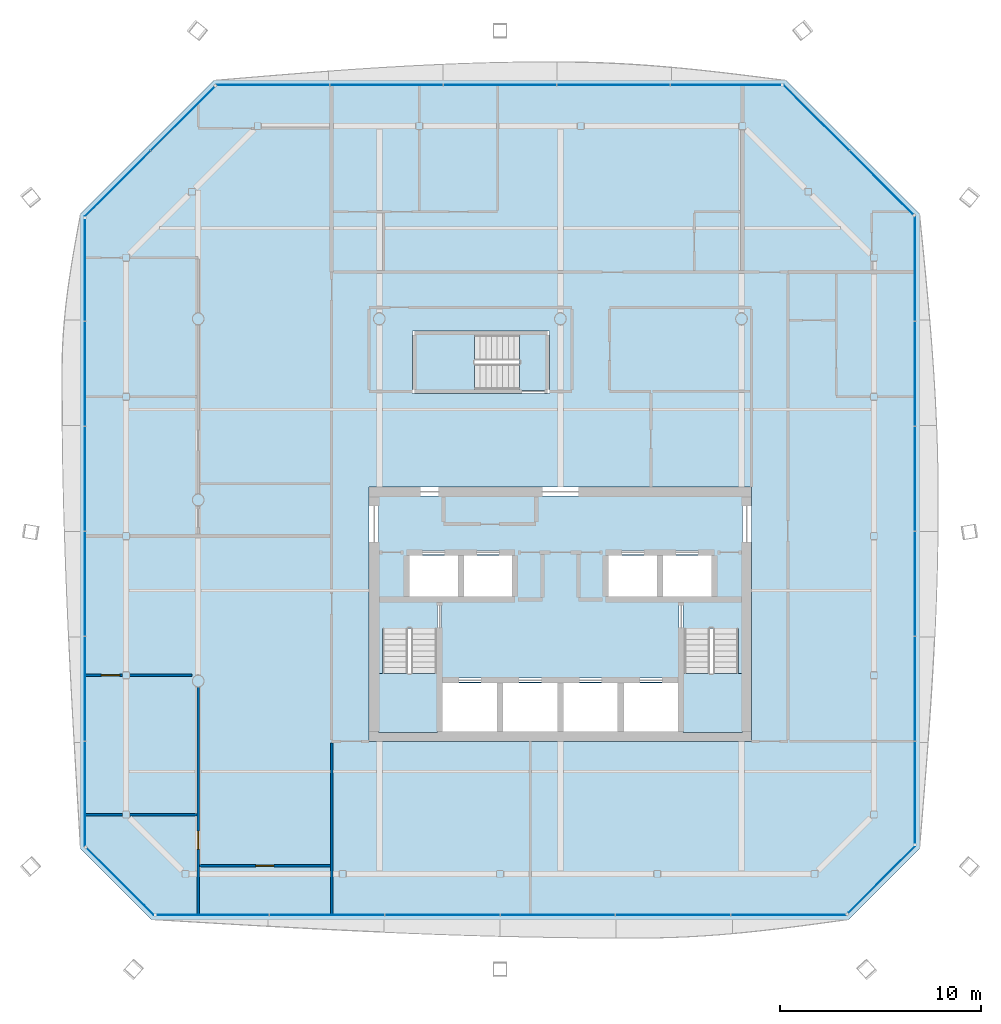
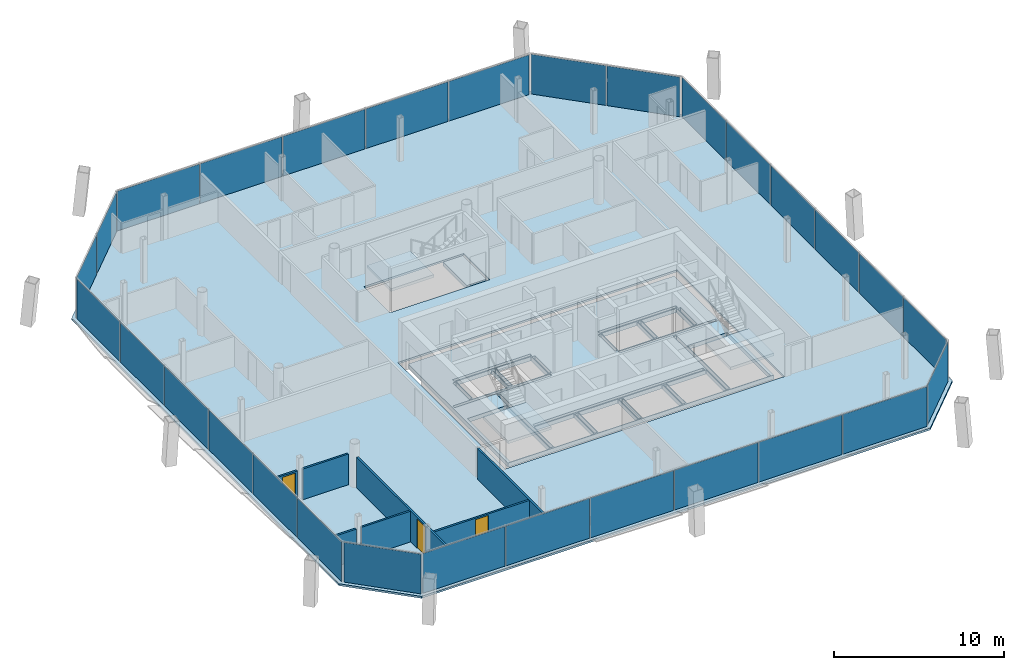
# One storey, part 13 of 20: 29 plates, 7 walls, 6 slabs, 3 doors, 3 openings, 11 elements without a shape of their own.
"""IFC4 building model written with IfcOpenShell, lengths in metres."""

from ifc_helpers import new_model, si_unit, direction, frame, frame_2d, origin, origin_2d, place, context, subcontext, project, spatial, polyline, rectangle, outline, extrude, material, layer, layer_set, type_object, element, fill, aggregate, save


model = new_model("IFC4")

# Units and contexts
model_context = context("Model", 3, precision=1e-05, world=origin(), true_north=direction((0.0, 1.0)))
body_context = subcontext(model_context, "Body", "Model", "MODEL_VIEW")
ifc_project = project(units=[si_unit("LENGTHUNIT", "METRE"), si_unit("AREAUNIT", "SQUARE_METRE"), si_unit("VOLUMEUNIT", "CUBIC_METRE"), si_unit("PLANEANGLEUNIT", "RADIAN"), si_unit("MASSUNIT", "GRAM", prefix="KILO")], contexts=[model_context])

# Site, building, storey
site_placement = place(None, origin())
site = spatial("IfcSite", under=ifc_project, at=site_placement, CompositionType="ELEMENT")
building_placement = place(site_placement, origin())
building = spatial("IfcBuilding", under=site, at=building_placement, Name="Tskaro Facet Tower", CompositionType="ELEMENT")
storey_placement = place(building_placement, frame((0.0, 0.0, 187.949951171875)))
storey = spatial("IfcBuildingStorey", under=building, at=storey_placement, Name="L47", CompositionType="ELEMENT", Elevation=187.949951171875)

# Slab
ifc_material_1 = material(Name="Concrete C30/37", Category="concrete")
ifc_layer_1 = layer(ifc_material_1, 0.139892578125, Name="Concrete C30/37")
ifc_layer_set_1 = layer_set([ifc_layer_1], Name="Concrete C30/37")
slab_type_1 = type_object("IfcSlabType", Name="Composite deck floor slab", PredefinedType="FLOOR", material=ifc_layer_set_1)
slab_1_placement = place(storey_placement, frame((0.0, 0.0, -0.139892578125)))
element("IfcSlab", 1, at=slab_1_placement, inside=storey, type_object=slab_type_1, Name="Floor slab FS3 L47", PredefinedType="FLOOR", context=body_context, shape_type="SweptSolid", body=[
    extrude(outline(polyline([(-20.31298828125, -20.8779296875), (14.31298828125, -20.8779296875), (17.8779296875, -17.31298828125), (17.8779296875, 14.2041015625), (11.2041015625, 20.8779296875), (-17.2041015625, 20.8779296875), (-23.8779296875, 14.2041015625), (-23.8779296875, -17.31298828125), (-20.31298828125, -20.8779296875)]), holes=[polyline([(-9.5, -12.0), (9.5, -12.0), (9.5, 0.64990234375), (-9.5, 0.64990234375), (-9.5, -12.0)]), polyline([(-7.35009765625, 5.300048828125), (-0.550048828125, 5.300048828125), (-0.550048828125, 8.39990234375), (-7.35009765625, 8.39990234375), (-7.35009765625, 5.300048828125)])]), origin(), (0.0, 0.0, 1.0), 0.139892578125),
])

# Curtain wall, plates
ifc_material_2 = material(Name="Bronze anodised aluminium 6063-T6", Category="aluminium")
curtain_wall_type = type_object("IfcCurtainWallType", Name="Bronze residence curtain wall (FW3)", PredefinedType="NOTDEFINED", material=ifc_material_2)
curtain_wall_1_placement = place(storey_placement, origin())
curtain_wall_1 = element("IfcCurtainWall", 2, at=curtain_wall_1_placement, inside=storey, type_object=curtain_wall_type, Name="FW3 south facet L47", PredefinedType="NOTDEFINED")
ifc_material_3 = material(Name="Bronze low-iron glass", Category="glass")
ifc_layer_2 = layer(ifc_material_3, 0.028076171875, Name="Bronze low-iron glass")
ifc_layer_set_2 = layer_set([ifc_layer_2], Name="Bronze low-iron glass")
plate_type = type_object("IfcPlateType", Name="FW3 bronze-tinted unit glazing 28", PredefinedType="CURTAIN_PANEL", material=ifc_layer_set_2)
plate_1_placement = place(storey_placement, frame((-17.283447265625, -20.6279296875, 0.0), z_axis=(0.0, 0.0, 1.0), x_axis=(1.0, 0.0, 0.0)))
plate_1 = element("IfcPlate", 3, at=plate_1_placement, type_object=plate_type, Name="FW3 south glazing 1.1", PredefinedType="CURTAIN_PANEL", context=body_context, shape_type="SweptSolid", body=[
    extrude(rectangle(XDim=5.5712890625, YDim=0.028076171875, at=origin_2d()), origin(), (0.0, 0.0, 1.0), 2.860107421875),
])
plate_2_placement = place(storey_placement, frame((-11.6044921875, -20.6279296875, 0.0), z_axis=(0.0, 0.0, 1.0), x_axis=(1.0, 0.0, 0.0)))
plate_2 = element("IfcPlate", 4, at=plate_2_placement, type_object=plate_type, Name="FW3 south glazing 2.1", PredefinedType="CURTAIN_PANEL", context=body_context, shape_type="SweptSolid", body=[
    extrude(rectangle(XDim=5.686279296875, YDim=0.028076171875, at=origin_2d()), origin(), (0.0, 0.0, 1.0), 2.860107421875),
])
plate_3_placement = place(storey_placement, frame((-5.8681640625, -20.6279296875, 0.0), z_axis=(0.0, 0.0, 1.0), x_axis=(1.0, 0.0, 0.0)))
plate_3 = element("IfcPlate", 5, at=plate_3_placement, type_object=plate_type, Name="FW3 south glazing 3.1", PredefinedType="CURTAIN_PANEL", context=body_context, shape_type="SweptSolid", body=[
    extrude(rectangle(XDim=5.686279296875, YDim=0.028076171875, at=origin_2d()), origin(), (0.0, 0.0, 1.0), 2.860107421875),
])
plate_4_placement = place(storey_placement, frame((-0.1318359375, -20.6279296875, 0.0), z_axis=(0.0, 0.0, 1.0), x_axis=(1.0, 0.0, 0.0)))
plate_4 = element("IfcPlate", 6, at=plate_4_placement, type_object=plate_type, Name="FW3 south glazing 4.1", PredefinedType="CURTAIN_PANEL", context=body_context, shape_type="SweptSolid", body=[
    extrude(rectangle(XDim=5.686279296875, YDim=0.028076171875, at=origin_2d()), origin(), (0.0, 0.0, 1.0), 2.860107421875),
])
plate_5_placement = place(storey_placement, frame((5.6044921875, -20.6279296875, 0.0), z_axis=(0.0, 0.0, 1.0), x_axis=(1.0, 0.0, 0.0)))
plate_5 = element("IfcPlate", 7, at=plate_5_placement, type_object=plate_type, Name="FW3 south glazing 5.1", PredefinedType="CURTAIN_PANEL", context=body_context, shape_type="SweptSolid", body=[
    extrude(rectangle(XDim=5.686279296875, YDim=0.028076171875, at=origin_2d()), origin(), (0.0, 0.0, 1.0), 2.860107421875),
])
plate_6_placement = place(storey_placement, frame((11.353271484375, -20.6279296875, 0.0), z_axis=(0.0, 0.0, 1.0), x_axis=(1.0, 0.0, 0.0)))
plate_6 = element("IfcPlate", 8, at=plate_6_placement, type_object=plate_type, Name="FW3 south glazing 6.1", PredefinedType="CURTAIN_PANEL", context=body_context, shape_type="SweptSolid", body=[
    extrude(rectangle(XDim=5.71142578125, YDim=0.028076171875, at=origin_2d()), origin(), (0.0, 0.0, 1.0), 2.860107421875),
])
aggregate(curtain_wall_1, [plate_1, plate_2, plate_3, plate_4, plate_5, plate_6])

# Curtain wall, plate
curtain_wall_2_placement = place(storey_placement, origin())
curtain_wall_2 = element("IfcCurtainWall", 9, at=curtain_wall_2_placement, inside=storey, type_object=curtain_wall_type, Name="FW3 south-east facet L47", PredefinedType="NOTDEFINED")
plate_7_placement = place(storey_placement, frame((15.968017578125, -18.868896484375, 0.0), z_axis=(0.0, 0.0, 1.0), x_axis=(0.707106781187, 0.707106781187, 0.0)))
plate_7 = element("IfcPlate", 10, at=plate_7_placement, type_object=plate_type, Name="FW3 south-east glazing 1.1", PredefinedType="CURTAIN_PANEL", context=body_context, shape_type="SweptSolid", body=[
    extrude(rectangle(XDim=4.6953125, YDim=0.028076171875, at=origin_2d()), origin(), (0.0, 0.0, 1.0), 2.860107421875),
])
aggregate(curtain_wall_2, [plate_7])

# Curtain wall, plates
curtain_wall_3_placement = place(storey_placement, origin())
curtain_wall_3 = element("IfcCurtainWall", 11, at=curtain_wall_3_placement, inside=storey, type_object=curtain_wall_type, Name="FW3 east facet L47", PredefinedType="NOTDEFINED")
plate_8_placement = place(storey_placement, frame((17.6279296875, -14.54248046875, 0.0), z_axis=(0.0, 0.0, 1.0), x_axis=(0.0, 1.0, 0.0)))
plate_8 = element("IfcPlate", 12, at=plate_8_placement, type_object=plate_type, Name="FW3 east glazing 1.1", PredefinedType="CURTAIN_PANEL", context=body_context, shape_type="SweptSolid", body=[
    extrude(rectangle(XDim=5.05322265625, YDim=0.028076171875, at=origin_2d()), origin(), (0.0, 0.0, 1.0), 2.860107421875),
])
plate_9_placement = place(storey_placement, frame((17.6279296875, -9.3818359375, 0.0), z_axis=(0.0, 0.0, 1.0), x_axis=(0.0, 1.0, 0.0)))
plate_9 = element("IfcPlate", 13, at=plate_9_placement, type_object=plate_type, Name="FW3 east glazing 2.1", PredefinedType="CURTAIN_PANEL", context=body_context, shape_type="SweptSolid", body=[
    extrude(rectangle(XDim=5.168212890625, YDim=0.028076171875, at=origin_2d()), origin(), (0.0, 0.0, 1.0), 2.860107421875),
])
plate_10_placement = place(storey_placement, frame((17.6279296875, -4.16357421875, 0.0), z_axis=(0.0, 0.0, 1.0), x_axis=(0.0, 1.0, 0.0)))
plate_10 = element("IfcPlate", 14, at=plate_10_placement, type_object=plate_type, Name="FW3 east glazing 3.1", PredefinedType="CURTAIN_PANEL", context=body_context, shape_type="SweptSolid", body=[
    extrude(rectangle(XDim=5.168212890625, YDim=0.028076171875, at=origin_2d()), origin(), (0.0, 0.0, 1.0), 2.860107421875),
])
plate_11_placement = place(storey_placement, frame((17.6279296875, 1.0546875, 0.0), z_axis=(0.0, 0.0, 1.0), x_axis=(0.0, 1.0, 0.0)))
plate_11 = element("IfcPlate", 15, at=plate_11_placement, type_object=plate_type, Name="FW3 east glazing 4.1", PredefinedType="CURTAIN_PANEL", context=body_context, shape_type="SweptSolid", body=[
    extrude(rectangle(XDim=5.168212890625, YDim=0.028076171875, at=origin_2d()), origin(), (0.0, 0.0, 1.0), 2.860107421875),
])
plate_12_placement = place(storey_placement, frame((17.6279296875, 6.272705078125, 0.0), z_axis=(0.0, 0.0, 1.0), x_axis=(0.0, 1.0, 0.0)))
plate_12 = element("IfcPlate", 16, at=plate_12_placement, type_object=plate_type, Name="FW3 east glazing 5.1", PredefinedType="CURTAIN_PANEL", context=body_context, shape_type="SweptSolid", body=[
    extrude(rectangle(XDim=5.168212890625, YDim=0.028076171875, at=origin_2d()), origin(), (0.0, 0.0, 1.0), 2.860107421875),
])
plate_13_placement = place(storey_placement, frame((17.6279296875, 11.50341796875, 0.0), z_axis=(0.0, 0.0, 1.0), x_axis=(0.0, 1.0, 0.0)))
plate_13 = element("IfcPlate", 17, at=plate_13_placement, type_object=plate_type, Name="FW3 east glazing 6.1", PredefinedType="CURTAIN_PANEL", context=body_context, shape_type="SweptSolid", body=[
    extrude(rectangle(XDim=5.193115234375, YDim=0.028076171875, at=origin_2d()), origin(), (0.0, 0.0, 1.0), 2.860107421875),
])
aggregate(curtain_wall_3, [plate_8, plate_9, plate_10, plate_11, plate_12, plate_13])

curtain_wall_4_placement = place(storey_placement, origin())
curtain_wall_4 = element("IfcCurtainWall", 18, at=curtain_wall_4_placement, inside=storey, type_object=curtain_wall_type, Name="FW3 north-east facet L47", PredefinedType="NOTDEFINED")
plate_14_placement = place(storey_placement, frame((15.955322265625, 15.772705078125, 0.0), z_axis=(0.0, 0.0, 1.0), x_axis=(-0.707106781187, 0.707106781187, 0.0)))
plate_14 = element("IfcPlate", 19, at=plate_14_placement, type_object=plate_type, Name="FW3 north-east glazing 1.1", PredefinedType="CURTAIN_PANEL", context=body_context, shape_type="SweptSolid", body=[
    extrude(rectangle(XDim=4.450927734375, YDim=0.028076171875, at=origin_2d()), origin(), (0.0, 0.0, 1.0), 2.860107421875),
])
plate_15_placement = place(storey_placement, frame((12.72314453125, 19.0048828125, 0.0), z_axis=(0.0, 0.0, 1.0), x_axis=(-0.707106781187, 0.707106781187, 0.0)))
plate_15 = element("IfcPlate", 20, at=plate_15_placement, type_object=plate_type, Name="FW3 north-east glazing 2.1", PredefinedType="CURTAIN_PANEL", context=body_context, shape_type="SweptSolid", body=[
    extrude(rectangle(XDim=4.591064453125, YDim=0.028076171875, at=origin_2d()), origin(), (0.0, 0.0, 1.0), 2.860107421875),
])
aggregate(curtain_wall_4, [plate_14, plate_15])

curtain_wall_5_placement = place(storey_placement, origin())
curtain_wall_5 = element("IfcCurtainWall", 21, at=curtain_wall_5_placement, inside=storey, type_object=curtain_wall_type, Name="FW3 north facet L47", PredefinedType="NOTDEFINED")
plate_16_placement = place(storey_placement, frame((8.222412109375, 20.6279296875, 0.0), z_axis=(0.0, 0.0, 1.0), x_axis=(-1.0, 0.0, 0.0)))
plate_16 = element("IfcPlate", 22, at=plate_16_placement, type_object=plate_type, Name="FW3 north glazing 1.1", PredefinedType="CURTAIN_PANEL", context=body_context, shape_type="SweptSolid", body=[
    extrude(rectangle(XDim=5.47509765625, YDim=0.028076171875, at=origin_2d()), origin(), (0.0, 0.0, 1.0), 2.860107421875),
])
plate_17_placement = place(storey_placement, frame((2.639892578125, 20.6279296875, 0.0), z_axis=(0.0, 0.0, 1.0), x_axis=(-1.0, 0.0, 0.0)))
plate_17 = element("IfcPlate", 23, at=plate_17_placement, type_object=plate_type, Name="FW3 north glazing 2.1", PredefinedType="CURTAIN_PANEL", context=body_context, shape_type="SweptSolid", body=[
    extrude(rectangle(XDim=5.590087890625, YDim=0.028076171875, at=origin_2d()), origin(), (0.0, 0.0, 1.0), 2.860107421875),
])
plate_18_placement = place(storey_placement, frame((-3.0, 20.6279296875, 0.0), z_axis=(0.0, 0.0, 1.0), x_axis=(-1.0, 0.0, 0.0)))
plate_18 = element("IfcPlate", 24, at=plate_18_placement, type_object=plate_type, Name="FW3 north glazing 3.1", PredefinedType="CURTAIN_PANEL", context=body_context, shape_type="SweptSolid", body=[
    extrude(rectangle(XDim=5.590087890625, YDim=0.028076171875, at=origin_2d()), origin(), (0.0, 0.0, 1.0), 2.860107421875),
])
plate_19_placement = place(storey_placement, frame((-8.639892578125, 20.6279296875, 0.0), z_axis=(0.0, 0.0, 1.0), x_axis=(-1.0, 0.0, 0.0)))
plate_19 = element("IfcPlate", 25, at=plate_19_placement, type_object=plate_type, Name="FW3 north glazing 4.1", PredefinedType="CURTAIN_PANEL", context=body_context, shape_type="SweptSolid", body=[
    extrude(rectangle(XDim=5.590087890625, YDim=0.028076171875, at=origin_2d()), origin(), (0.0, 0.0, 1.0), 2.860107421875),
])
plate_20_placement = place(storey_placement, frame((-14.29248046875, 20.6279296875, 0.0), z_axis=(0.0, 0.0, 1.0), x_axis=(-1.0, 0.0, 0.0)))
plate_20 = element("IfcPlate", 26, at=plate_20_placement, type_object=plate_type, Name="FW3 north glazing 5.1", PredefinedType="CURTAIN_PANEL", context=body_context, shape_type="SweptSolid", body=[
    extrude(rectangle(XDim=5.614990234375, YDim=0.028076171875, at=origin_2d()), origin(), (0.0, 0.0, 1.0), 2.860107421875),
])
aggregate(curtain_wall_5, [plate_16, plate_17, plate_18, plate_19, plate_20])

curtain_wall_6_placement = place(storey_placement, origin())
curtain_wall_6 = element("IfcCurtainWall", 27, at=curtain_wall_6_placement, inside=storey, type_object=curtain_wall_type, Name="FW3 north-west facet L47", PredefinedType="NOTDEFINED")
plate_21_placement = place(storey_placement, frame((-18.772705078125, 18.955322265625, 0.0), z_axis=(0.0, 0.0, 1.0), x_axis=(-0.707106781187, -0.707106781187, 0.0)))
plate_21 = element("IfcPlate", 28, at=plate_21_placement, type_object=plate_type, Name="FW3 north-west glazing 1.1", PredefinedType="CURTAIN_PANEL", context=body_context, shape_type="SweptSolid", body=[
    extrude(rectangle(XDim=4.450927734375, YDim=0.028076171875, at=origin_2d()), origin(), (0.0, 0.0, 1.0), 2.860107421875),
])
plate_22_placement = place(storey_placement, frame((-22.0048828125, 15.72314453125, 0.0), z_axis=(0.0, 0.0, 1.0), x_axis=(-0.707106781187, -0.707106781187, 0.0)))
plate_22 = element("IfcPlate", 29, at=plate_22_placement, type_object=plate_type, Name="FW3 north-west glazing 2.1", PredefinedType="CURTAIN_PANEL", context=body_context, shape_type="SweptSolid", body=[
    extrude(rectangle(XDim=4.591064453125, YDim=0.028076171875, at=origin_2d()), origin(), (0.0, 0.0, 1.0), 2.860107421875),
])
aggregate(curtain_wall_6, [plate_21, plate_22])

curtain_wall_7_placement = place(storey_placement, origin())
curtain_wall_7 = element("IfcCurtainWall", 30, at=curtain_wall_7_placement, inside=storey, type_object=curtain_wall_type, Name="FW3 west facet L47", PredefinedType="NOTDEFINED")
plate_23_placement = place(storey_placement, frame((-23.6279296875, 11.433349609375, 0.0), z_axis=(0.0, 0.0, 1.0), x_axis=(0.0, -1.0, 0.0)))
plate_23 = element("IfcPlate", 31, at=plate_23_placement, type_object=plate_type, Name="FW3 west glazing 1.1", PredefinedType="CURTAIN_PANEL", context=body_context, shape_type="SweptSolid", body=[
    extrude(rectangle(XDim=5.05322265625, YDim=0.028076171875, at=origin_2d()), origin(), (0.0, 0.0, 1.0), 2.860107421875),
])
plate_24_placement = place(storey_placement, frame((-23.6279296875, 6.272705078125, 0.0), z_axis=(0.0, 0.0, 1.0), x_axis=(0.0, -1.0, 0.0)))
plate_24 = element("IfcPlate", 32, at=plate_24_placement, type_object=plate_type, Name="FW3 west glazing 2.1", PredefinedType="CURTAIN_PANEL", context=body_context, shape_type="SweptSolid", body=[
    extrude(rectangle(XDim=5.168212890625, YDim=0.028076171875, at=origin_2d()), origin(), (0.0, 0.0, 1.0), 2.860107421875),
])
plate_25_placement = place(storey_placement, frame((-23.6279296875, 1.0546875, 0.0), z_axis=(0.0, 0.0, 1.0), x_axis=(0.0, -1.0, 0.0)))
plate_25 = element("IfcPlate", 33, at=plate_25_placement, type_object=plate_type, Name="FW3 west glazing 3.1", PredefinedType="CURTAIN_PANEL", context=body_context, shape_type="SweptSolid", body=[
    extrude(rectangle(XDim=5.168212890625, YDim=0.028076171875, at=origin_2d()), origin(), (0.0, 0.0, 1.0), 2.860107421875),
])
plate_26_placement = place(storey_placement, frame((-23.6279296875, -4.16357421875, 0.0), z_axis=(0.0, 0.0, 1.0), x_axis=(0.0, -1.0, 0.0)))
plate_26 = element("IfcPlate", 34, at=plate_26_placement, type_object=plate_type, Name="FW3 west glazing 4.1", PredefinedType="CURTAIN_PANEL", context=body_context, shape_type="SweptSolid", body=[
    extrude(rectangle(XDim=5.168212890625, YDim=0.028076171875, at=origin_2d()), origin(), (0.0, 0.0, 1.0), 2.860107421875),
])
plate_27_placement = place(storey_placement, frame((-23.6279296875, -9.3818359375, 0.0), z_axis=(0.0, 0.0, 1.0), x_axis=(0.0, -1.0, 0.0)))
plate_27 = element("IfcPlate", 35, at=plate_27_placement, type_object=plate_type, Name="FW3 west glazing 5.1", PredefinedType="CURTAIN_PANEL", context=body_context, shape_type="SweptSolid", body=[
    extrude(rectangle(XDim=5.168212890625, YDim=0.028076171875, at=origin_2d()), origin(), (0.0, 0.0, 1.0), 2.860107421875),
])
plate_28_placement = place(storey_placement, frame((-23.6279296875, -14.6123046875, 0.0), z_axis=(0.0, 0.0, 1.0), x_axis=(0.0, -1.0, 0.0)))
plate_28 = element("IfcPlate", 36, at=plate_28_placement, type_object=plate_type, Name="FW3 west glazing 6.1", PredefinedType="CURTAIN_PANEL", context=body_context, shape_type="SweptSolid", body=[
    extrude(rectangle(XDim=5.193115234375, YDim=0.028076171875, at=origin_2d()), origin(), (0.0, 0.0, 1.0), 2.860107421875),
])
aggregate(curtain_wall_7, [plate_23, plate_24, plate_25, plate_26, plate_27, plate_28])

# Curtain wall, plate
curtain_wall_8_placement = place(storey_placement, origin())
curtain_wall_8 = element("IfcCurtainWall", 37, at=curtain_wall_8_placement, inside=storey, type_object=curtain_wall_type, Name="FW3 south-west facet L47", PredefinedType="NOTDEFINED")
plate_29_placement = place(storey_placement, frame((-21.868896484375, -18.968017578125, 0.0), z_axis=(0.0, 0.0, 1.0), x_axis=(0.707106781187, -0.707106781187, 0.0)))
plate_29 = element("IfcPlate", 38, at=plate_29_placement, type_object=plate_type, Name="FW3 south-west glazing 1.1", PredefinedType="CURTAIN_PANEL", context=body_context, shape_type="SweptSolid", body=[
    extrude(rectangle(XDim=4.6953125, YDim=0.028076171875, at=origin_2d()), origin(), (0.0, 0.0, 1.0), 2.860107421875),
])
aggregate(curtain_wall_8, [plate_29])

# Stair, slab
ifc_material_4 = material(Name="Concrete C40/50", Category="concrete")
stair_type = type_object("IfcStairType", Name="ST-TWR", PredefinedType="HALF_TURN_STAIR", material=ifc_material_4)
stair_1_placement = place(storey_placement, origin())
stair_1 = element("IfcStair", 39, at=stair_1_placement, inside=storey, type_object=stair_type, Name="L47 Exit stair 1", PredefinedType="HALF_TURN_STAIR")
ifc_layer_3 = layer(ifc_material_4, 0.199951171875, Name="Concrete C40/50")
ifc_layer_set_3 = layer_set([ifc_layer_3], Name="Concrete C40/50")
slab_type_2 = type_object("IfcSlabType", Name="SL-LANDING", PredefinedType="LANDING", material=ifc_layer_set_3)
slab_2_placement = place(storey_placement, frame((0.0, 0.0, 1.375)))
slab_2 = element("IfcSlab", 40, at=slab_2_placement, type_object=slab_type_2, Name="ST-1 landing 1", PredefinedType="LANDING", context=body_context, shape_type="SweptSolid", body=[
    extrude(outline(polyline([(-9.050048828125, -11.550048828125), (-6.10009765625, -11.550048828125), (-6.10009765625, -8.614990234375), (-9.050048828125, -8.614990234375), (-9.050048828125, -11.550048828125)])), origin(), (0.0, 0.0, 1.0), 0.199951171875),
])
aggregate(stair_1, [slab_2])

stair_2_placement = place(storey_placement, origin())
stair_2 = element("IfcStair", 41, at=stair_2_placement, inside=storey, type_object=stair_type, Name="L47 Exit stair 2", PredefinedType="HALF_TURN_STAIR")
slab_3_placement = place(storey_placement, frame((0.0, 0.0, 1.375)))
slab_3 = element("IfcSlab", 42, at=slab_3_placement, type_object=slab_type_2, Name="ST-2 landing 1", PredefinedType="LANDING", context=body_context, shape_type="SweptSolid", body=[
    extrude(outline(polyline([(6.10009765625, -11.550048828125), (9.050048828125, -11.550048828125), (9.050048828125, -8.614990234375), (6.10009765625, -8.614990234375), (6.10009765625, -11.550048828125)])), origin(), (0.0, 0.0, 1.0), 0.199951171875),
])
aggregate(stair_2, [slab_3])

stair_3_placement = place(storey_placement, origin())
stair_3 = element("IfcStair", 43, at=stair_3_placement, inside=storey, type_object=stair_type, Name="L47 Exit stair 3", PredefinedType="HALF_TURN_STAIR")
slab_4_placement = place(storey_placement, frame((0.0, 0.0, 1.375)))
slab_4 = element("IfcSlab", 44, at=slab_4_placement, type_object=slab_type_2, Name="ST-3 landing 1", PredefinedType="LANDING", context=body_context, shape_type="SweptSolid", body=[
    extrude(outline(polyline([(-7.199951171875, 5.449951171875), (-4.264892578125, 5.449951171875), (-4.264892578125, 8.25), (-7.199951171875, 8.25), (-7.199951171875, 5.449951171875)])), origin(), (0.0, 0.0, 1.0), 0.199951171875),
])
aggregate(stair_3, [slab_4])

# Slabs
ifc_material_5 = material(Name="Concrete C60/75", Category="concrete")
ifc_layer_4 = layer(ifc_material_5, 0.300048828125, Name="Concrete C60/75")
ifc_layer_set_4 = layer_set([ifc_layer_4], Name="Concrete C60/75")
slab_type_3 = type_object("IfcSlabType", Name="SLAB-CORE", PredefinedType="FLOOR", material=ifc_layer_set_4)
slab_5_placement = place(storey_placement, frame((0.0, 0.0, -0.300048828125)))
element("IfcSlab", 45, at=slab_5_placement, inside=storey, type_object=slab_type_3, Name="Core floor slab 1", PredefinedType="FLOOR", context=body_context, shape_type="SweptSolid", body=[
    extrude(outline(polyline([(-9.050048828125, 0.199951171875), (9.050048828125, 0.199951171875), (9.050048828125, 0.10009765625), (9.050048828125, -11.449951171875), (9.050048828125, -11.550048828125), (-9.050048828125, -11.550048828125), (-9.050048828125, -11.449951171875), (-9.050048828125, 0.10009765625), (-9.050048828125, 0.199951171875)]), holes=[polyline([(-5.85009765625, -9.10009765625), (-5.85009765625, -11.5), (-3.14990234375, -11.5), (-3.14990234375, -9.10009765625), (-5.85009765625, -9.10009765625)]), polyline([(-3.10009765625, -11.449951171875), (-2.89990234375, -11.449951171875), (-2.89990234375, -9.14990234375), (-3.10009765625, -9.14990234375), (-3.10009765625, -11.449951171875)]), polyline([(-2.85009765625, -9.10009765625), (-2.85009765625, -11.5), (-0.14990234375, -11.5), (-0.14990234375, -9.10009765625), (-2.85009765625, -9.10009765625)]), polyline([(-6.10009765625, -11.449951171875), (-5.89990234375, -11.449951171875), (-5.89990234375, -5.14990234375), (-6.10009765625, -5.14990234375), (-6.10009765625, -11.449951171875)]), polyline([(-8.949951171875, -5.050048828125), (-2.300048828125, -5.050048828125), (-2.300048828125, -4.85009765625), (-8.949951171875, -4.85009765625), (-8.949951171875, -5.050048828125)]), polyline([(-7.75, -4.75), (-7.550048828125, -4.75), (-7.550048828125, -2.800048828125), (-7.75, -2.800048828125), (-7.75, -4.75)]), polyline([(-7.5, -2.75), (-7.5, -4.800048828125), (-5.10009765625, -4.800048828125), (-5.10009765625, -2.75), (-7.5, -2.75)]), polyline([(-5.050048828125, -4.75), (-4.85009765625, -4.75), (-4.85009765625, -2.800048828125), (-5.050048828125, -2.800048828125), (-5.050048828125, -4.75)]), polyline([(-2.39990234375, -2.75), (-4.800048828125, -2.75), (-4.800048828125, -4.800048828125), (-2.39990234375, -4.800048828125), (-2.39990234375, -2.75)]), polyline([(-2.35009765625, -4.75), (-2.14990234375, -4.75), (-2.14990234375, -2.800048828125), (-2.35009765625, -2.800048828125), (-2.35009765625, -4.75)]), polyline([(-7.60009765625, -2.699951171875), (-2.300048828125, -2.699951171875), (-2.300048828125, -2.5), (-7.60009765625, -2.5), (-7.60009765625, -2.699951171875)]), polyline([(-0.10009765625, -11.449951171875), (0.10009765625, -11.449951171875), (0.10009765625, -9.14990234375), (-0.10009765625, -9.14990234375), (-0.10009765625, -11.449951171875)]), polyline([(0.14990234375, -9.10009765625), (0.14990234375, -11.5), (2.85009765625, -11.5), (2.85009765625, -9.10009765625), (0.14990234375, -9.10009765625)]), polyline([(2.89990234375, -11.449951171875), (3.10009765625, -11.449951171875), (3.10009765625, -9.14990234375), (2.89990234375, -9.14990234375), (2.89990234375, -11.449951171875)]), polyline([(3.14990234375, -9.10009765625), (3.14990234375, -11.5), (5.85009765625, -11.5), (5.85009765625, -9.10009765625), (3.14990234375, -9.10009765625)]), polyline([(-5.800048828125, -9.050048828125), (5.800048828125, -9.050048828125), (5.800048828125, -8.85009765625), (-5.800048828125, -8.85009765625), (-5.800048828125, -9.050048828125)]), polyline([(5.89990234375, -11.449951171875), (6.10009765625, -11.449951171875), (6.10009765625, -5.14990234375), (5.89990234375, -5.14990234375), (5.89990234375, -11.449951171875)]), polyline([(2.300048828125, -5.050048828125), (8.949951171875, -5.050048828125), (8.949951171875, -4.85009765625), (2.300048828125, -4.85009765625), (2.300048828125, -5.050048828125)]), polyline([(2.14990234375, -4.75), (2.35009765625, -4.75), (2.35009765625, -2.800048828125), (2.14990234375, -2.800048828125), (2.14990234375, -4.75)]), polyline([(2.39990234375, -2.75), (2.39990234375, -4.800048828125), (4.800048828125, -4.800048828125), (4.800048828125, -2.75), (2.39990234375, -2.75)]), polyline([(4.85009765625, -4.75), (5.050048828125, -4.75), (5.050048828125, -2.800048828125), (4.85009765625, -2.800048828125), (4.85009765625, -4.75)]), polyline([(5.10009765625, -4.800048828125), (7.5, -4.800048828125), (7.5, -2.75), (5.10009765625, -2.75), (5.10009765625, -4.800048828125)]), polyline([(7.550048828125, -4.75), (7.75, -4.75), (7.75, -2.800048828125), (7.550048828125, -2.800048828125), (7.550048828125, -4.75)]), polyline([(2.300048828125, -2.699951171875), (7.60009765625, -2.699951171875), (7.60009765625, -2.5), (2.300048828125, -2.5), (2.300048828125, -2.699951171875)]), polyline([(-8.85009765625, -11.5), (-6.14990234375, -11.5), (-6.14990234375, -6.39501953125), (-8.85009765625, -6.39501953125), (-8.85009765625, -11.5)]), polyline([(6.14990234375, -6.39501953125), (6.14990234375, -11.5), (8.85009765625, -11.5), (8.85009765625, -6.39501953125), (6.14990234375, -6.39501953125)])]), origin(), (0.0, 0.0, 1.0), 0.300048828125),
])
slab_6_placement = place(storey_placement, frame((0.0, 0.0, -0.300048828125)))
element("IfcSlab", 46, at=slab_6_placement, inside=storey, type_object=slab_type_3, Name="Stair 3 floor landing 1", PredefinedType="FLOOR", context=body_context, shape_type="SweptSolid", body=[
    extrude(outline(polyline([(-2.02490234375, 5.449951171875), (-0.699951171875, 5.449951171875), (-0.699951171875, 8.25), (-2.02490234375, 8.25), (-2.02490234375, 5.449951171875)])), origin(), (0.0, 0.0, 1.0), 0.300048828125),
])

# Wall, opening, door
ifc_material_6 = material(Name="Gypsum board on steel studs", Category="steel")
ifc_layer_5 = layer(ifc_material_6, 0.125, Name="Gypsum board on steel studs")
ifc_layer_set_5 = layer_set([ifc_layer_5], Name="Gypsum board on steel studs")
wall_type = type_object("IfcWallType", Name="PART", PredefinedType="PARTITIONING", material=ifc_layer_set_5)
wall_1_placement = place(storey_placement, frame((-11.4375, -18.179931640625, 0.0), z_axis=(0.0, 0.0, 1.0), x_axis=(-1.0, 0.0, 0.0)))
wall_1 = element("IfcWall", 47, at=wall_1_placement, inside=storey, type_object=wall_type, Name="Partition W001", PredefinedType="PARTITIONING", context=body_context, shape_type="SweptSolid", body=[
    extrude(rectangle(XDim=6.5, YDim=0.125, at=frame_2d((3.25, 0.0))), origin(), (0.0, 0.0, 1.0), 2.2099609375),
])
opening_1_placement = place(wall_1_placement, frame((2.800048828125, 0.0, 0.0)))
opening_1 = element("IfcOpeningElement", 48, at=opening_1_placement, cuts=wall_1, Name="Opening T13-D01", PredefinedType="OPENING", context=body_context, shape_type="SweptSolid", body=[
    extrude(rectangle(XDim=0.89990234375, YDim=2.10009765625, at=frame_2d((0.449951171875, 1.050048828125))), frame((0.0, 0.072509765625, 0.0), z_axis=(0.0, -1.0, 0.0), x_axis=(1.0, 0.0, 0.0)), (0.0, 0.0, 1.0), 0.14501953125),
])
ifc_material_7 = material(Name="Timber", Category="wood")
door_type = type_object("IfcDoorType", Name="D-ROOM", OperationType="NOTDEFINED", PredefinedType="DOOR", material=ifc_material_7)
door_1_placement = place(opening_1_placement, origin())
door_1 = element("IfcDoor", 49, at=door_1_placement, inside=storey, type_object=door_type, Name="Door T13-D01", OperationType="SINGLE_SWING_RIGHT", OverallHeight=2.10009765625, OverallWidth=0.89990234375, PredefinedType="DOOR", context=body_context, shape_type="SweptSolid", body=[
    extrude(rectangle(XDim=0.89990234375, YDim=2.10009765625, at=frame_2d((0.449951171875, 1.050048828125))), frame((0.0, 0.02490234375, 0.0), z_axis=(0.0, -1.0, 0.0), x_axis=(1.0, 0.0, 0.0)), (0.0, 0.0, 1.0), 0.050048828125),
])
fill(opening_1, door_1)

# Walls
wall_2_placement = place(storey_placement, frame((-23.577880859375, -15.635009765625, 0.0), z_axis=(0.0, 0.0, 1.0), x_axis=(1.0, 0.0, 0.0)))
element("IfcWall", 50, at=wall_2_placement, inside=storey, type_object=wall_type, Name="Partition W002", PredefinedType="PARTITIONING", context=body_context, shape_type="SweptSolid", body=[
    extrude(rectangle(XDim=1.81982421875, YDim=0.125, at=frame_2d((0.909912109375, 0.0))), origin(), (0.0, 0.0, 1.0), 2.2099609375),
])
wall_3_placement = place(storey_placement, frame((-21.407958984375, -15.635009765625, 0.0), z_axis=(0.0, 0.0, 1.0), x_axis=(1.0, 0.0, 0.0)))
element("IfcWall", 51, at=wall_3_placement, inside=storey, type_object=wall_type, Name="Partition W003", PredefinedType="PARTITIONING", context=body_context, shape_type="SweptSolid", body=[
    extrude(rectangle(XDim=3.345458984375, YDim=0.125, at=frame_2d((1.6728515625, 0.0))), origin(), (0.0, 0.0, 1.0), 2.2099609375),
])

# Wall, opening, door
wall_4_placement = place(storey_placement, frame((-21.758056640625, -8.715087890625, 0.0), z_axis=(0.0, 0.0, 1.0), x_axis=(-1.0, 0.0, 0.0)))
wall_4 = element("IfcWall", 52, at=wall_4_placement, inside=storey, type_object=wall_type, Name="Partition W008", PredefinedType="PARTITIONING", context=body_context, shape_type="SweptSolid", body=[
    extrude(rectangle(XDim=1.81982421875, YDim=0.125, at=frame_2d((0.909912109375, 0.0))), origin(), (0.0, 0.0, 1.0), 2.2099609375),
])
opening_2_placement = place(wall_4_placement, frame((0.14990234375, 0.0, 0.0)))
opening_2 = element("IfcOpeningElement", 53, at=opening_2_placement, cuts=wall_4, Name="Opening T13-D05", PredefinedType="OPENING", context=body_context, shape_type="SweptSolid", body=[
    extrude(rectangle(XDim=0.89990234375, YDim=2.10009765625, at=frame_2d((0.449951171875, 1.050048828125))), frame((0.0, 0.072509765625, 0.0), z_axis=(0.0, -1.0, 0.0), x_axis=(1.0, 0.0, 0.0)), (0.0, 0.0, 1.0), 0.14501953125),
])
door_2_placement = place(opening_2_placement, origin())
door_2 = element("IfcDoor", 54, at=door_2_placement, inside=storey, type_object=door_type, Name="Door T13-D05", OperationType="SINGLE_SWING_RIGHT", OverallHeight=2.10009765625, OverallWidth=0.89990234375, PredefinedType="DOOR", context=body_context, shape_type="SweptSolid", body=[
    extrude(rectangle(XDim=0.89990234375, YDim=2.10009765625, at=frame_2d((0.449951171875, 1.050048828125))), frame((0.0, 0.02490234375, 0.0), z_axis=(0.0, -1.0, 0.0), x_axis=(1.0, 0.0, 0.0)), (0.0, 0.0, 1.0), 0.050048828125),
])
fill(opening_2, door_2)

# Wall
wall_5_placement = place(storey_placement, frame((-21.407958984375, -8.715087890625, 0.0), z_axis=(0.0, 0.0, 1.0), x_axis=(1.0, 0.0, 0.0)))
element("IfcWall", 55, at=wall_5_placement, inside=storey, type_object=wall_type, Name="Partition W009", PredefinedType="PARTITIONING", context=body_context, shape_type="SweptSolid", body=[
    extrude(rectangle(XDim=3.10302734375, YDim=0.125, at=frame_2d((1.551513671875, 0.0))), origin(), (0.0, 0.0, 1.0), 2.2099609375),
])

# Wall, opening, door
wall_6_placement = place(storey_placement, frame((-18.0, -20.577880859375, 0.0), z_axis=(0.0, 0.0, 1.0), x_axis=(0.0, 1.0, 0.0)))
wall_6 = element("IfcWall", 56, at=wall_6_placement, inside=storey, type_object=wall_type, Name="Partition W045", PredefinedType="PARTITIONING", context=body_context, shape_type="SweptSolid", body=[
    extrude(rectangle(XDim=11.27294921875, YDim=0.125, at=frame_2d((5.636474609375, 0.0))), origin(), (0.0, 0.0, 1.0), 2.2099609375),
])
opening_3_placement = place(wall_6_placement, frame((3.220458984375, 0.0, 0.0)))
opening_3 = element("IfcOpeningElement", 57, at=opening_3_placement, cuts=wall_6, Name="Opening T13-D02", PredefinedType="OPENING", context=body_context, shape_type="SweptSolid", body=[
    extrude(rectangle(XDim=0.89990234375, YDim=2.10009765625, at=frame_2d((0.449951171875, 1.050048828125))), frame((0.0, 0.072509765625, 0.0), z_axis=(0.0, -1.0, 0.0), x_axis=(1.0, 0.0, 0.0)), (0.0, 0.0, 1.0), 0.14501953125),
])
door_3_placement = place(opening_3_placement, origin())
door_3 = element("IfcDoor", 58, at=door_3_placement, inside=storey, type_object=door_type, Name="Door T13-D02", OperationType="SINGLE_SWING_RIGHT", OverallHeight=2.10009765625, OverallWidth=0.89990234375, PredefinedType="DOOR", context=body_context, shape_type="SweptSolid", body=[
    extrude(rectangle(XDim=0.89990234375, YDim=2.10009765625, at=frame_2d((0.449951171875, 1.050048828125))), frame((0.0, 0.02490234375, 0.0), z_axis=(0.0, -1.0, 0.0), x_axis=(1.0, 0.0, 0.0)), (0.0, 0.0, 1.0), 0.050048828125),
])
fill(opening_3, door_3)

# Wall
wall_7_placement = place(storey_placement, frame((-11.375, -20.577880859375, 0.0), z_axis=(0.0, 0.0, 1.0), x_axis=(0.0, 1.0, 0.0)))
element("IfcWall", 59, at=wall_7_placement, inside=storey, type_object=wall_type, Name="Partition W050", PredefinedType="PARTITIONING", context=body_context, shape_type="SweptSolid", body=[
    extrude(rectangle(XDim=8.5029296875, YDim=0.125, at=frame_2d((4.25146484375, 0.0))), origin(), (0.0, 0.0, 1.0), 2.2099609375),
])

save(model, "model.ifc")
